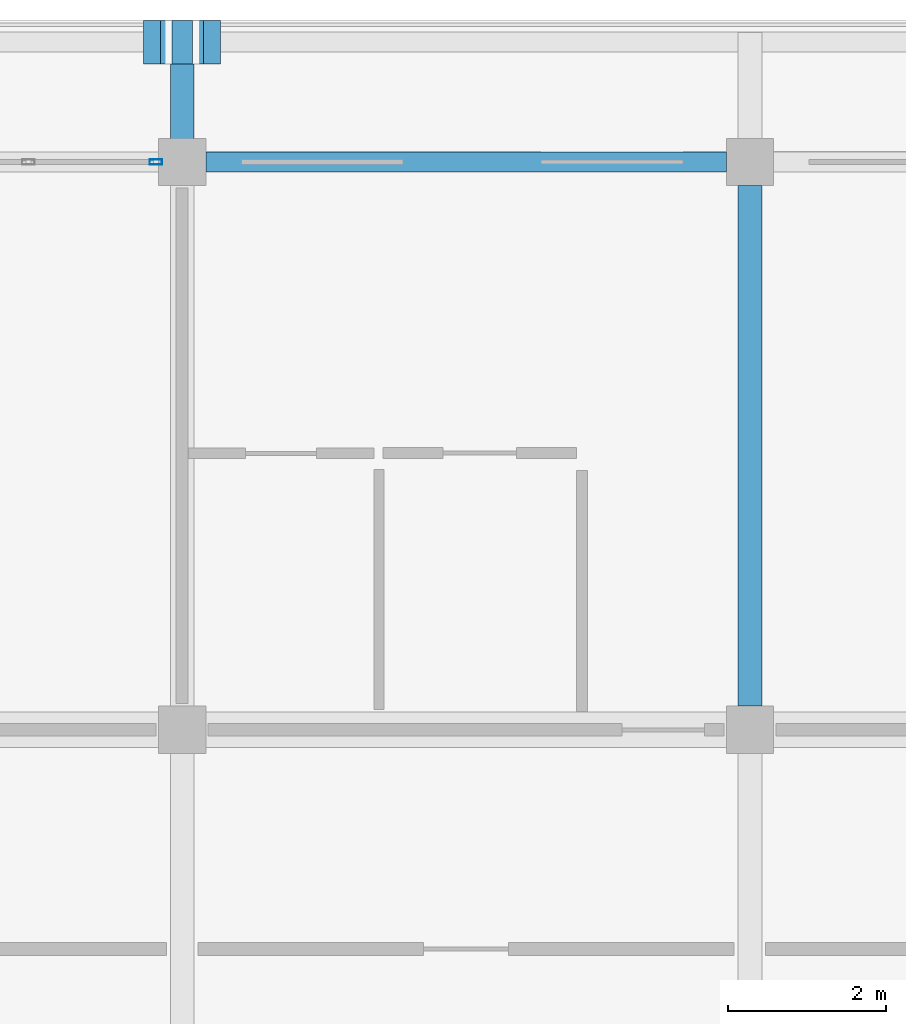
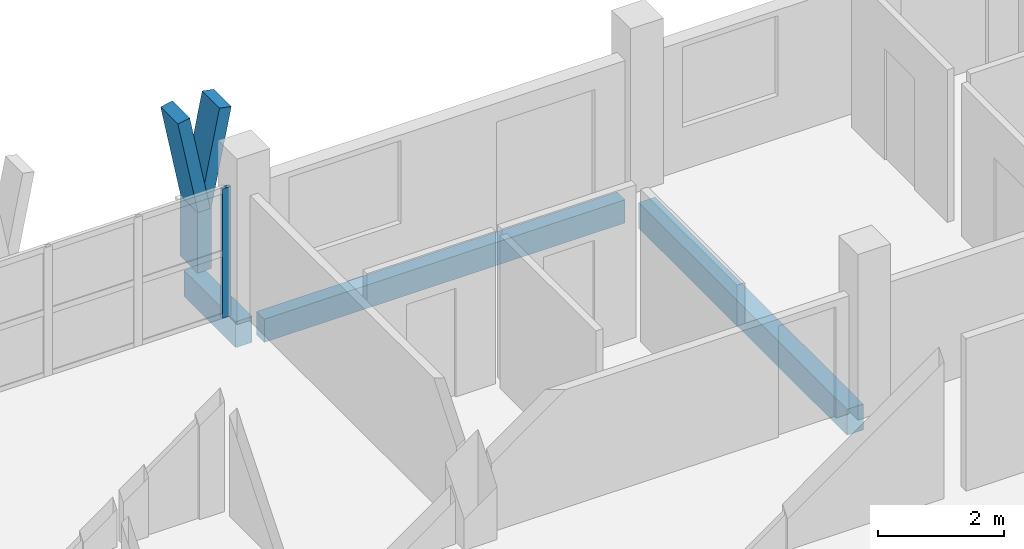
# One storey, part 17 of 65: 4 members, 3 beams, 1 element without a shape of its own.
"""IFC4 building model written with IfcOpenShell, lengths in metres."""

from ifc_helpers import new_model, si_unit, direction, frame, origin, origin_2d, place, context, subcontext, project, spatial, rectangle, hollow_rectangle, extrude, material, material_profile, profile_set, type_object, element, aggregate, save


model = new_model("IFC4")

# Units and contexts
model_context = context("Model", 3, precision=1e-05, world=origin(), true_north=direction((0.0, 1.0)))
body_context = subcontext(model_context, "Body", "Model", "MODEL_VIEW")
ifc_project = project(units=[si_unit("LENGTHUNIT", "METRE"), si_unit("AREAUNIT", "SQUARE_METRE"), si_unit("VOLUMEUNIT", "CUBIC_METRE"), si_unit("PLANEANGLEUNIT", "RADIAN"), si_unit("MASSUNIT", "GRAM", prefix="KILO")], contexts=[model_context])

# Site, building, storey
site_placement = place(None, origin())
site = spatial("IfcSite", under=ifc_project, at=site_placement, CompositionType="ELEMENT")
building_placement = place(site_placement, origin())
building = spatial("IfcBuilding", under=site, at=building_placement, Name="Suanplinth Sawtooth Commons", CompositionType="ELEMENT")
storey_placement = place(building_placement, frame((0.0, 0.0, 28.300048828125)))
storey = spatial("IfcBuildingStorey", under=building, at=storey_placement, Name="L08", CompositionType="ELEMENT", Elevation=28.300048828125)

# Beams
ifc_material_1 = material(Name="Precast concrete C40/50", Category="concrete")
ifc_material_profile_1 = material_profile(ifc_material_1, rectangle(XDim=0.300048828125, YDim=0.5, at=origin_2d()), Name="PC-BM 300x500")
ifc_profile_set_1 = profile_set([ifc_material_profile_1], Name="Precast concrete C40/50")
beam_type_1 = type_object("IfcBeamType", Name="B-07", PredefinedType="BEAM", material=ifc_profile_set_1)
beam_1_placement = place(storey_placement, frame((86.39990234375, 115.5, -0.4599609375), z_axis=(0.0, 1.0, 0.0), x_axis=(-1.0, 0.0, 0.0)))
element("IfcBeam", 1, at=beam_1_placement, inside=storey, type_object=beam_type_1, Name="BMY-L08-A-12-16", PredefinedType="BEAM", context=body_context, shape_type="SweptSolid", body=[
    extrude(rectangle(XDim=0.300048828125, YDim=0.5, at=origin_2d()), origin(), (0.0, 0.0, 1.0), 6.60009765625),
])
beam_2_placement = place(storey_placement, frame((79.199951171875, 122.39990234375, -0.429931640625), z_axis=(0.0, 1.0, 0.0), x_axis=(-1.0, 0.0, 0.0)))
element("IfcBeam", 2, at=beam_2_placement, inside=storey, type_object=beam_type_1, Name="Balcony Outrigger L08-A-N-11", PredefinedType="BEAM", context=body_context, shape_type="SweptSolid", body=[
    extrude(rectangle(XDim=0.300048828125, YDim=0.5, at=origin_2d()), origin(), (0.0, 0.0, 1.0), 1.64013671875),
])
ifc_material_profile_2 = material_profile(ifc_material_1, rectangle(XDim=0.25, YDim=0.449951171875, at=origin_2d()), Name="PC-SP 250x450")
ifc_profile_set_2 = profile_set([ifc_material_profile_2], Name="Precast concrete C40/50")
beam_type_2 = type_object("IfcBeamType", Name="B-09", PredefinedType="SPANDREL", material=ifc_profile_set_2)
beam_3_placement = place(storey_placement, frame((79.5, 122.39990234375, -0.43505859375), z_axis=(1.0, 0.0, 0.0), x_axis=(0.0, 1.0, 0.0)))
element("IfcBeam", 3, at=beam_3_placement, inside=storey, type_object=beam_type_2, Name="BMX-L08-A-11-17", PredefinedType="SPANDREL", context=body_context, shape_type="SweptSolid", body=[
    extrude(rectangle(XDim=0.25, YDim=0.449951171875, at=origin_2d()), origin(), (0.0, 0.0, 1.0), 6.60009765625),
])

# Members
ifc_material_2 = material(Name="Pigmented precast concrete C40/50", Category="concrete")
ifc_material_profile_3 = material_profile(ifc_material_2, rectangle(XDim=0.260009765625, YDim=0.550048828125, at=origin_2d()), Name="PC-FIN 260x550")
ifc_profile_set_3 = profile_set([ifc_material_profile_3], Name="Pigmented precast concrete C40/50")
member_type_1 = type_object("IfcMemberType", Name="M-09", PredefinedType="USERDEFINED", material=ifc_profile_set_3)
member_1_placement = place(storey_placement, frame((79.199951171875, 123.919921875, 0.0), z_axis=(0.0, 0.0, 1.0), x_axis=(1.0, 0.0, 0.0)))
element("IfcMember", 4, at=member_1_placement, inside=storey, type_object=member_type_1, Name="Y-Blade Stem L08-A-N-06", ObjectType="SHADING FIN", PredefinedType="USERDEFINED", context=body_context, shape_type="SweptSolid", body=[
    extrude(rectangle(XDim=0.260009765625, YDim=0.550048828125, at=origin_2d()), origin(), (0.0, 0.0, 1.0), 1.169921875),
])
ifc_material_profile_4 = material_profile(ifc_material_2, rectangle(XDim=0.219970703125, YDim=0.550048828125, at=origin_2d()), Name="PC-FIN 220x550")
ifc_profile_set_4 = profile_set([ifc_material_profile_4], Name="Pigmented precast concrete C40/50")
member_type_2 = type_object("IfcMemberType", Name="M-10", PredefinedType="USERDEFINED", material=ifc_profile_set_4)
member_2_placement = place(storey_placement, frame((79.199951171875, 123.919921875, 1.1298828125), z_axis=(-0.196285728346, 0.0, 0.980546741796), x_axis=(0.980546741796, 0.0, 0.196285728346)))
element("IfcMember", 5, at=member_2_placement, inside=storey, type_object=member_type_2, Name="Y-Blade Arm L L08-A-N-06", ObjectType="SHADING FIN", PredefinedType="USERDEFINED", context=body_context, shape_type="SweptSolid", body=[
    extrude(rectangle(XDim=0.219970703125, YDim=0.550048828125, at=origin_2d()), origin(), (0.0, 0.0, 1.0), 1.937744140625),
])
member_3_placement = place(storey_placement, frame((79.199951171875, 123.919921875, 1.1298828125), z_axis=(0.196406855569, 0.0, 0.980522486782), x_axis=(-0.980522486782, 0.0, 0.196406855569)))
element("IfcMember", 6, at=member_3_placement, inside=storey, type_object=member_type_2, Name="Y-Blade Arm R L08-A-N-06", ObjectType="SHADING FIN", PredefinedType="USERDEFINED", context=body_context, shape_type="SweptSolid", body=[
    extrude(rectangle(XDim=0.219970703125, YDim=0.550048828125, at=origin_2d()), origin(), (0.0, 0.0, 1.0), 1.93798828125),
])

# Curtain wall, member
ifc_material_3 = material(Name="Anodized aluminium and low-E glazing", Category="aluminium")
curtain_wall_type = type_object("IfcCurtainWallType", Name="CW-06", PredefinedType="USERDEFINED", material=ifc_material_3)
curtain_wall_placement = place(storey_placement, origin())
curtain_wall = element("IfcCurtainWall", 7, at=curtain_wall_placement, inside=storey, type_object=curtain_wall_type, Name="Curtain Wall CW-L08-A-LOUNGE-8", ObjectType="CURTAIN WALL", PredefinedType="USERDEFINED")
ifc_material_4 = material(Name="Anodized aluminium 6063-T6", Category="aluminium")
ifc_material_profile_5 = material_profile(ifc_material_4, hollow_rectangle(XDim=0.06494140625, YDim=0.159912109375, WallThickness=0.00390625, at=origin_2d()), Name="ALU-MUL 65x160")
ifc_profile_set_5 = profile_set([ifc_material_profile_5], Name="Anodized aluminium 6063-T6")
member_type_3 = type_object("IfcMemberType", Name="M-13", PredefinedType="MULLION", material=ifc_profile_set_5)
member_4_placement = place(storey_placement, frame((78.867431640625, 122.39990234375, 0.0), z_axis=(0.0, 0.0, 1.0), x_axis=(0.0, 1.0, 0.0)))
member_4 = element("IfcMember", 8, at=member_4_placement, type_object=member_type_3, Name="CW-06 mullion 5", PredefinedType="MULLION", context=body_context, shape_type="SweptSolid", body=[
    extrude(hollow_rectangle(XDim=0.06494140625, YDim=0.159912109375, WallThickness=0.00390625, at=origin_2d()), origin(), (0.0, 0.0, 1.0), 2.5),
])
aggregate(curtain_wall, [member_4])

save(model, "model.ifc")
